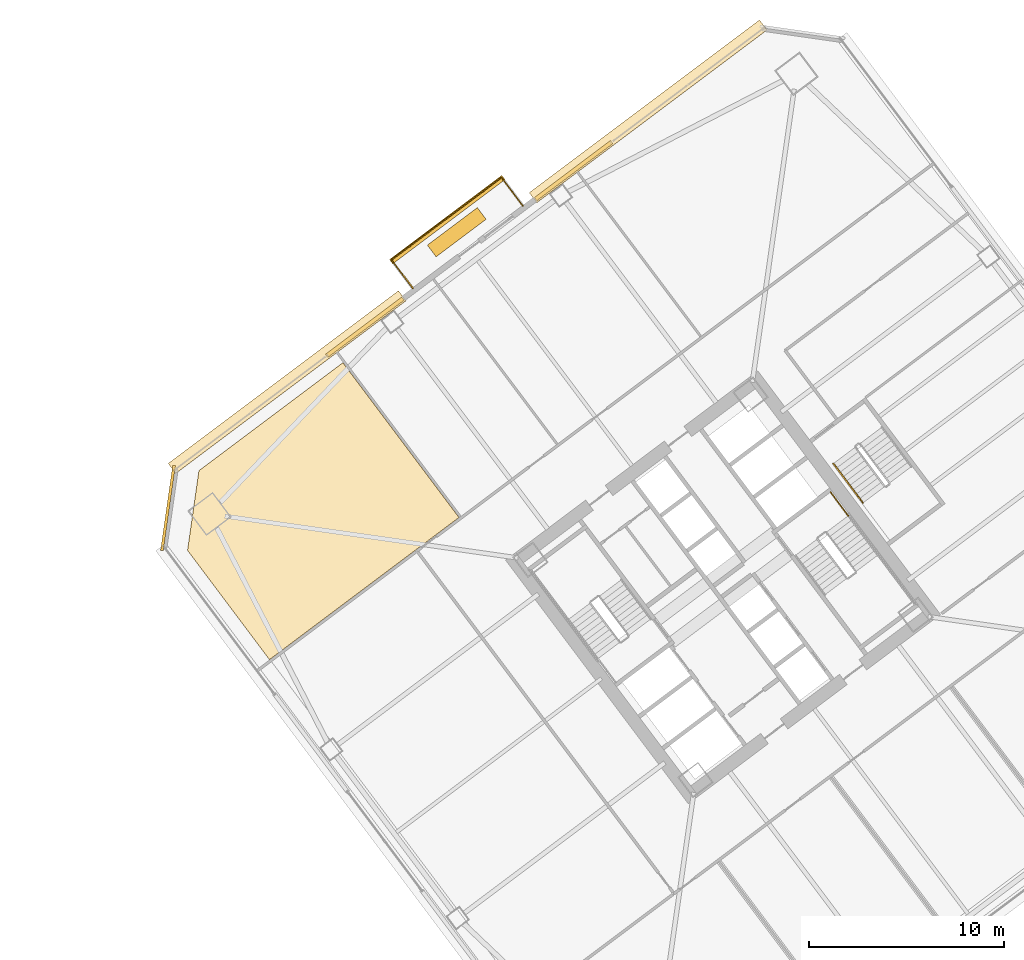
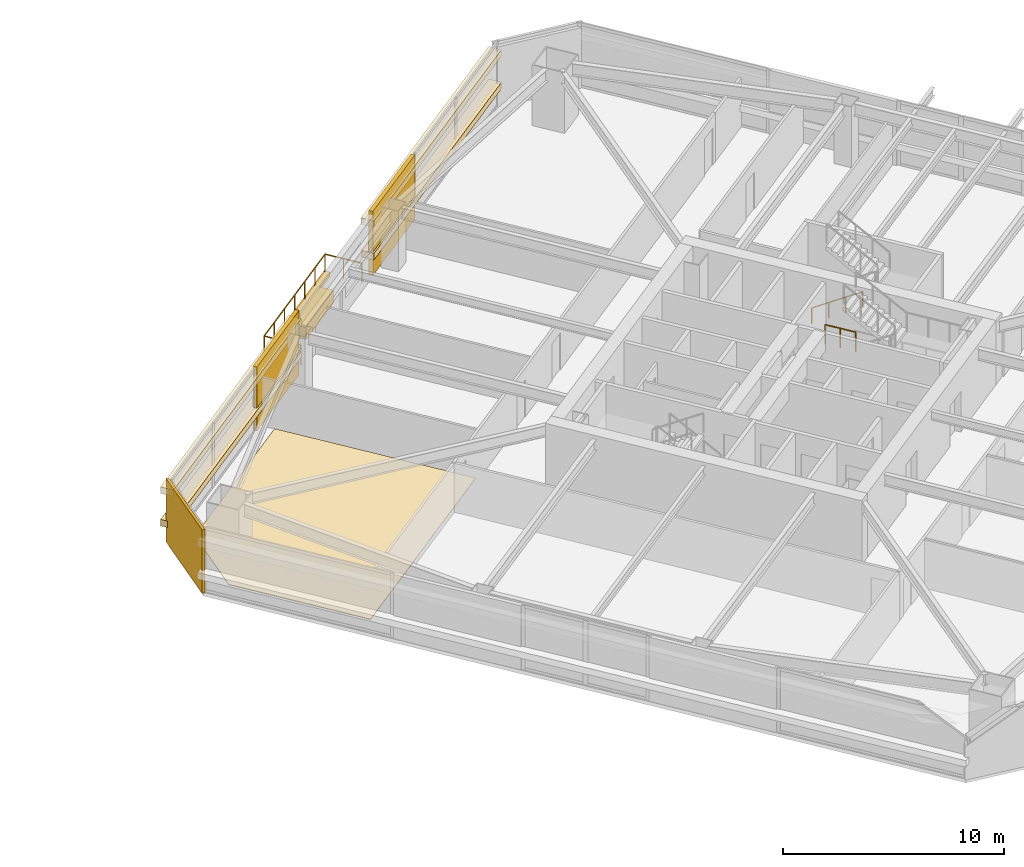
# One storey, part 45 of 46: 10 coverings, 5 railings.
"""IFC4 building model written with IfcOpenShell, lengths in metres."""

from ifc_helpers import new_model, si_unit, direction, frame, origin, origin_2d, place, context, subcontext, project, spatial, polyline, rectangle, outline, extrude, material, layer, layer_set, type_object, element, save


model = new_model("IFC4")

# Units and contexts
model_context = context("Model", 3, precision=1e-05, world=origin(), true_north=direction((0.0, 1.0)))
body_context = subcontext(model_context, "Body", "Model", "MODEL_VIEW")
ifc_project = project(units=[si_unit("LENGTHUNIT", "METRE"), si_unit("AREAUNIT", "SQUARE_METRE"), si_unit("VOLUMEUNIT", "CUBIC_METRE"), si_unit("PLANEANGLEUNIT", "RADIAN"), si_unit("MASSUNIT", "GRAM", prefix="KILO")], contexts=[model_context])

# Site, building, storey
site_placement = place(None, origin())
site = spatial("IfcSite", under=ifc_project, at=site_placement, CompositionType="ELEMENT")
building_placement = place(site_placement, origin())
building = spatial("IfcBuilding", under=site, at=building_placement, Name="Tashvorn Skyway Center", CompositionType="ELEMENT")
storey_placement = place(building_placement, frame((0.0, 0.0, 38.800048828125)))
storey = spatial("IfcBuildingStorey", under=building, at=storey_placement, Name="L09", CompositionType="ELEMENT", Elevation=38.800048828125)

# Coverings
ifc_material_1 = material(Name="Precast concrete C40/50", Category="concrete")
ifc_layer_1 = layer(ifc_material_1, 0.199951171875)
ifc_layer_set_1 = layer_set([ifc_layer_1], Name="Precast concrete C40/50")
covering_type_1 = type_object("IfcCoveringType", Name="COV-BRACE-CLAD", PredefinedType="CLADDING", material=ifc_layer_set_1)
for number, where, z_axis, x_axis, name in (
    (1, (95.641357421875, 45.3310546875, 0.0), (0.0, 0.0, 1.0), (0.799999996291, 0.600000004945, 0.0), "Tower 2 L09 North Curtain Wall L Mega-Brace Cladding Band 1"),
    (2, (106.342529296875, 53.35693359375, 0.0), (0.0, 0.0, 1.0), (0.799999996291, 0.600000004945, 0.0), "Tower 2 L09 North Curtain Wall R Mega-Brace Cladding Band 1"),
):
    element("IfcCovering", number, at=place(storey_placement, frame(where, z_axis=z_axis, x_axis=x_axis)), inside=storey, type_object=covering_type_1, Name=name, PredefinedType="CLADDING", context=body_context, shape_type="SweptSolid", body=[
        extrude(rectangle(XDim=4.876708984375, YDim=0.199951171875, at=origin_2d()), origin(), (0.0, 0.0, 1.0), 3.550048828125),
    ])
ifc_material_2 = material(Name="Polished Mojave desert-aggregate terrazzo and cover plate")
ifc_layer_2 = layer(ifc_material_2, 0.0400390625)
ifc_layer_set_2 = layer_set([ifc_layer_2], Name="Polished Mojave desert-aggregate terrazzo and cover plate")
covering_type_2 = type_object("IfcCoveringType", Name="COV-FLR-40", PredefinedType="FLOORING", material=ifc_layer_set_2)
covering_1_placement = place(storey_placement, origin())
element("IfcCovering", 3, at=covering_1_placement, inside=storey, type_object=covering_type_2, Name="Tower 2 L09 Conference Room Finish Flooring", PredefinedType="FLOORING", context=body_context, shape_type="SweptSolid", body=[
    extrude(outline(polyline([(100.468017578125, 35.575927734375), (90.756103515625, 28.2919921875), (86.555908203125, 33.89208984375), (87.139892578125, 37.97998046875), (94.51611328125, 43.511962890625), (100.468017578125, 35.575927734375)])), origin(), (0.0, 0.0, 1.0), 0.0400390625),
])
ifc_material_3 = material(Name="Perforated ceramic-coated bronze aluminium solar screen", Category="aluminium")
ifc_layer_3 = layer(ifc_material_3, 0.85009765625)
ifc_layer_set_3 = layer_set([ifc_layer_3], Name="Perforated ceramic-coated bronze aluminium solar screen")
covering_type_3 = type_object("IfcCoveringType", Name="COV-SOLAR-BAND", PredefinedType="CLADDING", material=ifc_layer_set_3)
for number, where, z_axis, x_axis, name in (
    (4, (91.656005859375, 42.51708984375, 0.919921875), (0.0, 0.0, 1.0), (0.799999996291, 0.600000004945, 0.0), "L09 Perforated Ceramic-Metal Solar Screen Louvre Band North 1"),
    (5, (91.656005859375, 42.51708984375, 2.7197265625), (0.0, 0.0, 1.0), (0.799999996291, 0.600000004945, 0.0), "L09 Perforated Ceramic-Metal Solar Screen Louvre Band North 2"),
    (6, (110.159912109375, 56.39501953125, 0.919921875), (0.0, 0.0, 1.0), (0.799999996291, 0.600000004945, 0.0), "L09 Perforated Ceramic-Metal Solar Screen Louvre Band North 1"),
    (7, (110.159912109375, 56.39501953125, 2.7197265625), (0.0, 0.0, 1.0), (0.799999996291, 0.600000004945, 0.0), "L09 Perforated Ceramic-Metal Solar Screen Louvre Band North 2"),
):
    element("IfcCovering", number, at=place(storey_placement, frame(where, z_axis=z_axis, x_axis=x_axis)), inside=storey, type_object=covering_type_3, Name=name, PredefinedType="CLADDING", context=body_context, shape_type="SweptSolid", body=[
        extrude(rectangle(XDim=14.75, YDim=0.639892578125, at=origin_2d()), origin(), (0.0, 0.0, 1.0), 0.360107421875),
    ])
ifc_layer_4 = layer(ifc_material_1, 0.35009765625)
ifc_layer_set_4 = layer_set([ifc_layer_4], Name="Precast concrete C40/50")
covering_type_4 = type_object("IfcCoveringType", Name="COV-STONE-TRIM", PredefinedType="CLADDING", material=ifc_layer_set_4)
covering_2_placement = place(storey_placement, frame((99.864013671875, 50.847900390625, -0.16015625), z_axis=(0.0, 0.0, 1.0), x_axis=(0.799999996291, 0.600000004945, 0.0)))
element("IfcCovering", 8, at=covering_2_placement, inside=storey, type_object=covering_type_4, Name="Tower 2 L09 Spiral Terrace Terracotta Fascia", PredefinedType="CLADDING", context=body_context, shape_type="SweptSolid", body=[
    extrude(rectangle(XDim=7.199951171875, YDim=0.280029296875, at=origin_2d()), origin(), (0.0, 0.0, 1.0), 0.280029296875),
])
covering_3_placement = place(storey_placement, frame((100.35009765625, 50.199951171875, 0.0), z_axis=(0.0, 0.0, 1.0), x_axis=(0.799999996291, 0.600000004945, 0.0)))
element("IfcCovering", 9, at=covering_3_placement, inside=storey, type_object=covering_type_4, Name="Tower 2 L09 Spiral Terrace Planter", PredefinedType="CLADDING", context=body_context, shape_type="SweptSolid", body=[
    extrude(rectangle(XDim=3.199951171875, YDim=0.75, at=origin_2d()), origin(), (0.0, 0.0, 1.0), 0.679931640625),
])
covering_4_placement = place(storey_placement, frame((85.552001953125, 36.06396484375, 0.02001953125), z_axis=(0.0, 0.0, 1.0), x_axis=(-0.141421350118, -0.989949494535, 0.0)))
element("IfcCovering", 10, at=covering_4_placement, inside=storey, type_object=covering_type_4, Name="Tower 2 L09 NW Mojave Limestone Corner Quoin", PredefinedType="CLADDING", context=body_context, shape_type="SweptSolid", body=[
    extrude(rectangle(XDim=4.402587890625, YDim=0.139892578125, at=origin_2d()), origin(), (0.0, 0.0, 1.0), 3.510009765625),
])

# Railings
ifc_material_4 = material(Name="Galvanized steel S355", Category="steel")
railing_type_1 = type_object("IfcRailingType", Name="RAIL-GUARD-1120", PredefinedType="GUARDRAIL", material=ifc_material_4)
railing_1_placement = place(storey_placement, frame((98.10400390625, 47.327880859375, 0.0)))
element("IfcRailing", 11, at=railing_1_placement, inside=storey, type_object=railing_type_1, Name="L09 Tower 2 Terrace Guardrail 01", PredefinedType="GUARDRAIL", context=body_context, shape_type="SweptSolid", body=[
    extrude(rectangle(XDim=0.048095703125, YDim=0.048095703125, at=origin_2d()), frame((0.0, 0.0, 1.09619140625), z_axis=(-0.6, 0.8, 0.0), x_axis=(-0.8, -0.6, 0.0)), (0.0, 0.0, 1.0), 1.820068359375),
    extrude(rectangle(XDim=0.0419921875, YDim=0.0419921875, at=origin_2d()), origin(), (0.0, 0.0, 1.0), 1.072021484375),
    extrude(rectangle(XDim=0.0419921875, YDim=0.0419921875, at=origin_2d()), frame((-0.5458984375, 0.72802734375, 0.0)), (0.0, 0.0, 1.0), 1.072021484375),
    extrude(rectangle(XDim=0.0419921875, YDim=0.0419921875, at=origin_2d()), frame((-1.092041015625, 1.4560546875, 0.0)), (0.0, 0.0, 1.0), 1.072021484375),
])
railing_2_placement = place(storey_placement, frame((97.011962890625, 48.783935546875, 0.0)))
element("IfcRailing", 12, at=railing_2_placement, inside=storey, type_object=railing_type_1, Name="L09 Tower 2 Terrace Guardrail 02", PredefinedType="GUARDRAIL", context=body_context, shape_type="SweptSolid", body=[
    extrude(rectangle(XDim=0.048095703125, YDim=0.048095703125, at=origin_2d()), frame((0.0, 0.0, 1.09619140625), z_axis=(0.799995838574, 0.600005548528, 0.0), x_axis=(-0.600005548528, 0.799995838574, 0.0)), (0.0, 0.0, 1.0), 7.0400390625),
    extrude(rectangle(XDim=0.0419921875, YDim=0.0419921875, at=origin_2d()), origin(), (0.0, 0.0, 1.0), 1.072021484375),
    extrude(rectangle(XDim=0.0419921875, YDim=0.0419921875, at=origin_2d()), frame((0.938720703125, 0.7041015625, 0.0)), (0.0, 0.0, 1.0), 1.072021484375),
    extrude(rectangle(XDim=0.0419921875, YDim=0.0419921875, at=origin_2d()), frame((1.87744140625, 1.407958984375, 0.0)), (0.0, 0.0, 1.0), 1.072021484375),
    extrude(rectangle(XDim=0.0419921875, YDim=0.0419921875, at=origin_2d()), frame((2.81591796875, 2.112060546875, 0.0)), (0.0, 0.0, 1.0), 1.072021484375),
    extrude(rectangle(XDim=0.0419921875, YDim=0.0419921875, at=origin_2d()), frame((3.754638671875, 2.816162109375, 0.0)), (0.0, 0.0, 1.0), 1.072021484375),
    extrude(rectangle(XDim=0.0419921875, YDim=0.0419921875, at=origin_2d()), frame((4.693359375, 3.52001953125, 0.0)), (0.0, 0.0, 1.0), 1.072021484375),
    extrude(rectangle(XDim=0.0419921875, YDim=0.0419921875, at=origin_2d()), frame((5.632080078125, 4.22412109375, 0.0)), (0.0, 0.0, 1.0), 1.072021484375),
])
railing_3_placement = place(storey_placement, frame((102.64404296875, 53.008056640625, 0.0)))
element("IfcRailing", 13, at=railing_3_placement, inside=storey, type_object=railing_type_1, Name="L09 Tower 2 Terrace Guardrail 03", PredefinedType="GUARDRAIL", context=body_context, shape_type="SweptSolid", body=[
    extrude(rectangle(XDim=0.048095703125, YDim=0.048095703125, at=origin_2d()), frame((0.0, 0.0, 1.09619140625), z_axis=(0.6, -0.8, 0.0), x_axis=(0.8, 0.6, 0.0)), (0.0, 0.0, 1.0), 1.820068359375),
    extrude(rectangle(XDim=0.0419921875, YDim=0.0419921875, at=origin_2d()), origin(), (0.0, 0.0, 1.0), 1.072021484375),
    extrude(rectangle(XDim=0.0419921875, YDim=0.0419921875, at=origin_2d()), frame((0.5458984375, -0.72802734375, 0.0)), (0.0, 0.0, 1.0), 1.072021484375),
    extrude(rectangle(XDim=0.0419921875, YDim=0.0419921875, at=origin_2d()), frame((1.092041015625, -1.4560546875, 0.0)), (0.0, 0.0, 1.0), 1.072021484375),
])
ifc_material_5 = material(Name="Brushed stainless steel 316", Category="steel")
railing_type_2 = type_object("IfcRailingType", Name="RAIL-HAND-920", PredefinedType="HANDRAIL", material=ifc_material_5)
railing_4_placement = place(storey_placement, frame((119.656005859375, 38.342041015625, 0.177490234375)))
element("IfcRailing", 14, at=railing_4_placement, inside=storey, type_object=railing_type_2, Name="L09 ST-T2-3 stair handrail 1", PredefinedType="HANDRAIL", context=body_context, shape_type="SweptSolid", body=[
    extrude(rectangle(XDim=0.048095703125, YDim=0.048095703125, at=origin_2d()), frame((0.0, 0.0, 0.8759765625), z_axis=(0.506740800098, -0.675708949977, 0.535379469569), x_axis=(0.800023250257, 0.599968998406, 0.0)), (0.0, 0.0, 1.0), 2.983642578125),
    extrude(rectangle(XDim=0.0419921875, YDim=0.0419921875, at=origin_2d()), origin(), (0.0, 0.0, 1.0), 0.851806640625),
    extrude(rectangle(XDim=0.0419921875, YDim=0.0419921875, at=origin_2d()), frame((0.50390625, -0.672119140625, 0.532470703125)), (0.0, 0.0, 1.0), 0.851806640625),
    extrude(rectangle(XDim=0.0419921875, YDim=0.0419921875, at=origin_2d()), frame((1.008056640625, -1.343994140625, 1.06494140625)), (0.0, 0.0, 1.0), 0.851806640625),
    extrude(rectangle(XDim=0.0419921875, YDim=0.0419921875, at=origin_2d()), frame((1.511962890625, -2.01611328125, 1.597412109375)), (0.0, 0.0, 1.0), 0.851806640625),
])
ifc_material_6 = material(Name="Painted galvanized steel S355", Category="steel")
railing_type_3 = type_object("IfcRailingType", Name="RAIL-STGUARD-1100", PredefinedType="GUARDRAIL", material=ifc_material_6)
railing_5_placement = place(storey_placement, frame((119.50390625, 36.8779296875, 0.0)))
element("IfcRailing", 15, at=railing_5_placement, inside=storey, type_object=railing_type_3, Name="L09 ST-T2-2 stair guard 6", PredefinedType="GUARDRAIL", context=body_context, shape_type="SweptSolid", body=[
    extrude(rectangle(XDim=0.048095703125, YDim=0.048095703125, at=origin_2d()), frame((0.0, 0.0, 1.076171875), z_axis=(0.600102796382, -0.799922892393, 0.0), x_axis=(0.799922892393, 0.600102796382, 0.0)), (0.0, 0.0, 1.0), 1.52001953125),
    extrude(rectangle(XDim=0.0419921875, YDim=0.0419921875, at=origin_2d()), origin(), (0.0, 0.0, 1.0), 1.052001953125),
    extrude(rectangle(XDim=0.0419921875, YDim=0.0419921875, at=origin_2d()), frame((0.4560546875, -0.60791015625, 0.0)), (0.0, 0.0, 1.0), 1.052001953125),
    extrude(rectangle(XDim=0.0419921875, YDim=0.0419921875, at=origin_2d()), frame((0.912109375, -1.2158203125, 0.0)), (0.0, 0.0, 1.0), 1.052001953125),
])

save(model, "model.ifc")
